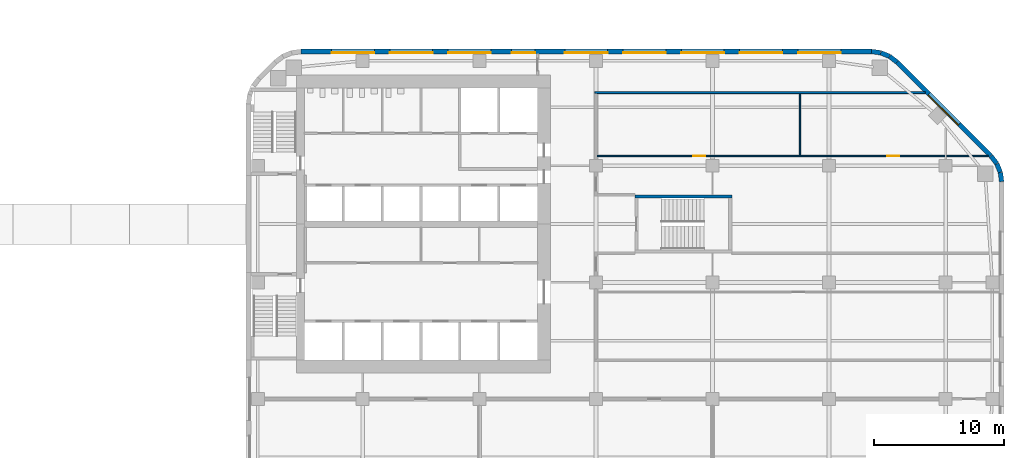
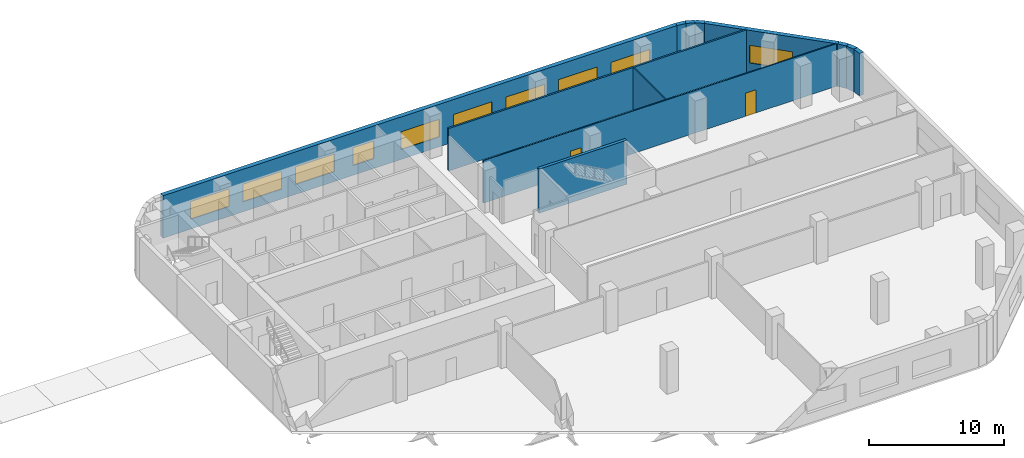
# One storey, part 11 of 15: 12 walls, 10 windows, 2 doors, 12 openings.
"""IFC4 building model written with IfcOpenShell, lengths in metres."""

from ifc_helpers import new_model, si_unit, direction, frame, frame_2d, origin, place, context, subcontext, project, spatial, rectangle, extrude, material, layer, layer_set, type_object, element, fill, save


model = new_model("IFC4")

# Units and contexts
model_context = context("Model", 3, precision=1e-05, world=origin(), true_north=direction((0.0, 1.0)))
body_context = subcontext(model_context, "Body", "Model", "MODEL_VIEW")
ifc_project = project(units=[si_unit("LENGTHUNIT", "METRE"), si_unit("AREAUNIT", "SQUARE_METRE"), si_unit("VOLUMEUNIT", "CUBIC_METRE"), si_unit("PLANEANGLEUNIT", "RADIAN"), si_unit("MASSUNIT", "GRAM", prefix="KILO")], contexts=[model_context])

# Site, building, storey
site_placement = place(None, origin())
site = spatial("IfcSite", under=ifc_project, at=site_placement, CompositionType="ELEMENT")
building_placement = place(site_placement, origin())
building = spatial("IfcBuilding", under=site, at=building_placement, Name="Cinnabar Reach Civic Tower", CompositionType="ELEMENT")
storey_placement = place(building_placement, frame((0.0, 0.0, 75.0)))
storey = spatial("IfcBuildingStorey", under=building, at=storey_placement, Name="L17", CompositionType="ELEMENT", Elevation=75.0)

# Walls
ifc_material_1 = material(Name="Facing brick with insulated backing", Category="masonry")
ifc_layer_1 = layer(ifc_material_1, 0.36)
ifc_layer_set_1 = layer_set([ifc_layer_1], Name="Brick corner wall")
wall_type_1 = type_object("IfcWallType", Name="Brick corner wall", PredefinedType="STANDARD", material=ifc_layer_set_1)
for number, where, z_axis, x_axis, name in (
    (1, (58.317, 34.7686, 0.0), (0.0, 0.0, 1.0), (-0.13055608231, 0.99144092581, 0.0), "Brick corner wall"),
    (2, (58.2181, 35.4973, 0.0), (0.0, 0.0, 1.0), (-0.382702709855, 0.923871547278, 0.0), "Brick corner wall"),
):
    element("IfcWall", number, at=place(storey_placement, frame(where, z_axis=z_axis, x_axis=x_axis)), inside=storey, type_object=wall_type_1, Name=name, PredefinedType="STANDARD", context=body_context, shape_type="SweptSolid", body=[
        extrude(rectangle(XDim=0.7131, YDim=0.36, at=frame_2d((0.3565, 0.0))), origin(), (0.0, 0.0, 1.0), 3.85),
    ])
for number, where, z_axis, x_axis, name in (
    (3, (57.934, 36.1755, 0.0), (0.0, 0.0, 1.0), (-0.608802368033, 0.793321924995, 0.0), "Brick corner wall"),
    (4, (50.2413, 43.9998, 0.0), (0.0, 0.0, 1.0), (-0.793321924995, 0.608802368033, 0.0), "Brick corner wall"),
):
    element("IfcWall", number, at=place(storey_placement, frame(where, z_axis=z_axis, x_axis=x_axis)), inside=storey, type_object=wall_type_1, Name=name, PredefinedType="STANDARD", context=body_context, shape_type="SweptSolid", body=[
        extrude(rectangle(XDim=0.7132, YDim=0.36, at=frame_2d((0.3566, 0.0))), origin(), (0.0, 0.0, 1.0), 3.85),
    ])
for number, where, z_axis, x_axis, name in (
    (5, (49.6561, 44.4452, 0.0), (0.0, 0.0, 1.0), (-0.923871547278, 0.382702709855, 0.0), "Brick corner wall"),
    (6, (48.9756, 44.7239, 0.0), (0.0, 0.0, 1.0), (-0.99144092581, 0.13055608231, 0.0), "Brick corner wall"),
):
    element("IfcWall", number, at=place(storey_placement, frame(where, z_axis=z_axis, x_axis=x_axis)), inside=storey, type_object=wall_type_1, Name=name, PredefinedType="STANDARD", context=body_context, shape_type="SweptSolid", body=[
        extrude(rectangle(XDim=0.7131, YDim=0.36, at=frame_2d((0.3565, 0.0))), origin(), (0.0, 0.0, 1.0), 3.85),
    ])

# Wall, opening, window
ifc_layer_2 = layer(ifc_material_1, 0.36)
ifc_layer_set_2 = layer_set([ifc_layer_2], Name="Brick pier and spandrel wall")
wall_type_2 = type_object("IfcWallType", Name="Brick pier and spandrel wall", PredefinedType="STANDARD", material=ifc_layer_set_2)
wall_1_placement = place(storey_placement, frame((57.494, 36.7514, 0.0), z_axis=(0.0, 0.0, 1.0), x_axis=(-0.707106781187, 0.707106781187, 0.0)))
wall_1 = element("IfcWall", 7, at=wall_1_placement, inside=storey, type_object=wall_type_2, Name="Brick facade wall", PredefinedType="STANDARD", context=body_context, shape_type="SweptSolid", body=[
    extrude(rectangle(XDim=10.2426, YDim=0.36, at=frame_2d((5.1213, 0.0))), origin(), (0.0, 0.0, 1.0), 3.85),
])
opening_1_placement = place(wall_1_placement, frame((3.4713, 0.0, 0.9)))
opening_1 = element("IfcOpeningElement", 8, at=opening_1_placement, cuts=wall_1, Name="Opening W1335", PredefinedType="OPENING", context=body_context, shape_type="SweptSolid", body=[
    extrude(rectangle(XDim=3.3, YDim=1.6, at=frame_2d((1.65, 0.8))), frame((0.0, 0.19, 0.0), z_axis=(0.0, -1.0, 0.0), x_axis=(1.0, 0.0, 0.0)), (0.0, 0.0, 1.0), 0.38),
])
ifc_material_2 = material(Name="Clear double glazing in aluminium frame", Category="aluminium")
window_type_1 = type_object("IfcWindowType", Name="Deep-set window A", PartitioningType="SINGLE_PANEL", PredefinedType="WINDOW", material=ifc_material_2)
window_1_placement = place(opening_1_placement, origin())
window_1 = element("IfcWindow", 9, at=window_1_placement, inside=storey, type_object=window_type_1, Name="Window northeast face", OverallHeight=1.6, OverallWidth=3.3, PartitioningType="SINGLE_PANEL", PredefinedType="WINDOW", context=body_context, shape_type="SweptSolid", body=[
    extrude(rectangle(XDim=3.3, YDim=1.6, at=frame_2d((1.65, 0.8))), frame((0.0, 0.13, 0.0), z_axis=(0.0, -1.0, 0.0), x_axis=(1.0, 0.0, 0.0)), (0.0, 0.0, 1.0), 0.06),
])
fill(opening_1, window_1)

# Wall, openings, windows
wall_2_placement = place(storey_placement, frame((48.2574, 44.82, 0.0), z_axis=(0.0, 0.0, 1.0), x_axis=(-1.0, 0.0, 0.0)))
wall_2 = element("IfcWall", 10, at=wall_2_placement, inside=storey, type_object=wall_type_2, Name="Brick facade wall", PredefinedType="STANDARD", context=body_context, shape_type="SweptSolid", body=[
    extrude(rectangle(XDim=44.0148, YDim=0.36, at=frame_2d((22.0074, 0.0))), origin(), (0.0, 0.0, 1.0), 3.85),
])
opening_2_placement = place(wall_2_placement, frame((2.3574, 0.0, 0.9)))
opening_2 = element("IfcOpeningElement", 11, at=opening_2_placement, cuts=wall_2, Name="Opening W1336", PredefinedType="OPENING", context=body_context, shape_type="SweptSolid", body=[
    extrude(rectangle(XDim=3.3, YDim=1.6, at=frame_2d((1.65, 0.8))), frame((0.0, 0.19, 0.0), z_axis=(0.0, -1.0, 0.0), x_axis=(1.0, 0.0, 0.0)), (0.0, 0.0, 1.0), 0.38),
])
opening_3_placement = place(wall_2_placement, frame((6.8574, 0.0, 0.9)))
opening_3 = element("IfcOpeningElement", 12, at=opening_3_placement, cuts=wall_2, Name="Opening W1337", PredefinedType="OPENING", context=body_context, shape_type="SweptSolid", body=[
    extrude(rectangle(XDim=3.3, YDim=1.6, at=frame_2d((1.65, 0.8))), frame((0.0, 0.19, 0.0), z_axis=(0.0, -1.0, 0.0), x_axis=(1.0, 0.0, 0.0)), (0.0, 0.0, 1.0), 0.38),
])
opening_4_placement = place(wall_2_placement, frame((11.3574, 0.0, 0.9)))
opening_4 = element("IfcOpeningElement", 13, at=opening_4_placement, cuts=wall_2, Name="Opening W1338", PredefinedType="OPENING", context=body_context, shape_type="SweptSolid", body=[
    extrude(rectangle(XDim=3.3, YDim=1.6, at=frame_2d((1.65, 0.8))), frame((0.0, 0.19, 0.0), z_axis=(0.0, -1.0, 0.0), x_axis=(1.0, 0.0, 0.0)), (0.0, 0.0, 1.0), 0.38),
])
opening_5_placement = place(wall_2_placement, frame((15.8574, 0.0, 0.9)))
opening_5 = element("IfcOpeningElement", 14, at=opening_5_placement, cuts=wall_2, Name="Opening W1339", PredefinedType="OPENING", context=body_context, shape_type="SweptSolid", body=[
    extrude(rectangle(XDim=3.3, YDim=1.6, at=frame_2d((1.65, 0.8))), frame((0.0, 0.19, 0.0), z_axis=(0.0, -1.0, 0.0), x_axis=(1.0, 0.0, 0.0)), (0.0, 0.0, 1.0), 0.38),
])
opening_6_placement = place(wall_2_placement, frame((20.3574, 0.0, 0.9)))
opening_6 = element("IfcOpeningElement", 15, at=opening_6_placement, cuts=wall_2, Name="Opening W1340", PredefinedType="OPENING", context=body_context, shape_type="SweptSolid", body=[
    extrude(rectangle(XDim=3.3, YDim=1.6, at=frame_2d((1.65, 0.8))), frame((0.0, 0.19, 0.0), z_axis=(0.0, -1.0, 0.0), x_axis=(1.0, 0.0, 0.0)), (0.0, 0.0, 1.0), 0.38),
])
opening_7_placement = place(wall_2_placement, frame((25.9574, 0.0, 0.9)))
opening_7 = element("IfcOpeningElement", 16, at=opening_7_placement, cuts=wall_2, Name="Opening W1341", PredefinedType="OPENING", context=body_context, shape_type="SweptSolid", body=[
    extrude(rectangle(XDim=1.8, YDim=1.6, at=frame_2d((0.9, 0.8))), frame((0.0, 0.19, 0.0), z_axis=(0.0, -1.0, 0.0), x_axis=(1.0, 0.0, 0.0)), (0.0, 0.0, 1.0), 0.38),
])
opening_8_placement = place(wall_2_placement, frame((29.3574, 0.0, 0.9)))
opening_8 = element("IfcOpeningElement", 17, at=opening_8_placement, cuts=wall_2, Name="Opening W1342", PredefinedType="OPENING", context=body_context, shape_type="SweptSolid", body=[
    extrude(rectangle(XDim=3.3, YDim=1.6, at=frame_2d((1.65, 0.8))), frame((0.0, 0.19, 0.0), z_axis=(0.0, -1.0, 0.0), x_axis=(1.0, 0.0, 0.0)), (0.0, 0.0, 1.0), 0.38),
])
opening_9_placement = place(wall_2_placement, frame((33.8574, 0.0, 0.9)))
opening_9 = element("IfcOpeningElement", 18, at=opening_9_placement, cuts=wall_2, Name="Opening W1343", PredefinedType="OPENING", context=body_context, shape_type="SweptSolid", body=[
    extrude(rectangle(XDim=3.3, YDim=1.6, at=frame_2d((1.65, 0.8))), frame((0.0, 0.19, 0.0), z_axis=(0.0, -1.0, 0.0), x_axis=(1.0, 0.0, 0.0)), (0.0, 0.0, 1.0), 0.38),
])
opening_10_placement = place(wall_2_placement, frame((38.3574, 0.0, 0.9)))
opening_10 = element("IfcOpeningElement", 19, at=opening_10_placement, cuts=wall_2, Name="Opening W1344", PredefinedType="OPENING", context=body_context, shape_type="SweptSolid", body=[
    extrude(rectangle(XDim=3.3, YDim=1.6, at=frame_2d((1.65, 0.8))), frame((0.0, 0.19, 0.0), z_axis=(0.0, -1.0, 0.0), x_axis=(1.0, 0.0, 0.0)), (0.0, 0.0, 1.0), 0.38),
])
window_2_placement = place(opening_2_placement, origin())
window_2 = element("IfcWindow", 20, at=window_2_placement, inside=storey, type_object=window_type_1, Name="Window north face", OverallHeight=1.6, OverallWidth=3.3, PartitioningType="SINGLE_PANEL", PredefinedType="WINDOW", context=body_context, shape_type="SweptSolid", body=[
    extrude(rectangle(XDim=3.3, YDim=1.6, at=frame_2d((1.65, 0.8))), frame((0.0, 0.13, 0.0), z_axis=(0.0, -1.0, 0.0), x_axis=(1.0, 0.0, 0.0)), (0.0, 0.0, 1.0), 0.06),
])
fill(opening_2, window_2)
window_3_placement = place(opening_3_placement, origin())
window_3 = element("IfcWindow", 21, at=window_3_placement, inside=storey, type_object=window_type_1, Name="Window north face", OverallHeight=1.6, OverallWidth=3.3, PartitioningType="SINGLE_PANEL", PredefinedType="WINDOW", context=body_context, shape_type="SweptSolid", body=[
    extrude(rectangle(XDim=3.3, YDim=1.6, at=frame_2d((1.65, 0.8))), frame((0.0, 0.13, 0.0), z_axis=(0.0, -1.0, 0.0), x_axis=(1.0, 0.0, 0.0)), (0.0, 0.0, 1.0), 0.06),
])
fill(opening_3, window_3)
window_4_placement = place(opening_4_placement, origin())
window_4 = element("IfcWindow", 22, at=window_4_placement, inside=storey, type_object=window_type_1, Name="Window north face", OverallHeight=1.6, OverallWidth=3.3, PartitioningType="SINGLE_PANEL", PredefinedType="WINDOW", context=body_context, shape_type="SweptSolid", body=[
    extrude(rectangle(XDim=3.3, YDim=1.6, at=frame_2d((1.65, 0.8))), frame((0.0, 0.13, 0.0), z_axis=(0.0, -1.0, 0.0), x_axis=(1.0, 0.0, 0.0)), (0.0, 0.0, 1.0), 0.06),
])
fill(opening_4, window_4)
window_5_placement = place(opening_5_placement, origin())
window_5 = element("IfcWindow", 23, at=window_5_placement, inside=storey, type_object=window_type_1, Name="Window north face", OverallHeight=1.6, OverallWidth=3.3, PartitioningType="SINGLE_PANEL", PredefinedType="WINDOW", context=body_context, shape_type="SweptSolid", body=[
    extrude(rectangle(XDim=3.3, YDim=1.6, at=frame_2d((1.65, 0.8))), frame((0.0, 0.13, 0.0), z_axis=(0.0, -1.0, 0.0), x_axis=(1.0, 0.0, 0.0)), (0.0, 0.0, 1.0), 0.06),
])
fill(opening_5, window_5)
window_6_placement = place(opening_6_placement, origin())
window_6 = element("IfcWindow", 24, at=window_6_placement, inside=storey, type_object=window_type_1, Name="Window north face", OverallHeight=1.6, OverallWidth=3.3, PartitioningType="SINGLE_PANEL", PredefinedType="WINDOW", context=body_context, shape_type="SweptSolid", body=[
    extrude(rectangle(XDim=3.3, YDim=1.6, at=frame_2d((1.65, 0.8))), frame((0.0, 0.13, 0.0), z_axis=(0.0, -1.0, 0.0), x_axis=(1.0, 0.0, 0.0)), (0.0, 0.0, 1.0), 0.06),
])
fill(opening_6, window_6)
window_7_placement = place(opening_8_placement, origin())
window_7 = element("IfcWindow", 25, at=window_7_placement, inside=storey, type_object=window_type_1, Name="Window north face", OverallHeight=1.6, OverallWidth=3.3, PartitioningType="SINGLE_PANEL", PredefinedType="WINDOW", context=body_context, shape_type="SweptSolid", body=[
    extrude(rectangle(XDim=3.3, YDim=1.6, at=frame_2d((1.65, 0.8))), frame((0.0, 0.13, 0.0), z_axis=(0.0, -1.0, 0.0), x_axis=(1.0, 0.0, 0.0)), (0.0, 0.0, 1.0), 0.06),
])
fill(opening_8, window_7)
window_8_placement = place(opening_9_placement, origin())
window_8 = element("IfcWindow", 26, at=window_8_placement, inside=storey, type_object=window_type_1, Name="Window north face", OverallHeight=1.6, OverallWidth=3.3, PartitioningType="SINGLE_PANEL", PredefinedType="WINDOW", context=body_context, shape_type="SweptSolid", body=[
    extrude(rectangle(XDim=3.3, YDim=1.6, at=frame_2d((1.65, 0.8))), frame((0.0, 0.13, 0.0), z_axis=(0.0, -1.0, 0.0), x_axis=(1.0, 0.0, 0.0)), (0.0, 0.0, 1.0), 0.06),
])
fill(opening_9, window_8)
window_9_placement = place(opening_10_placement, origin())
window_9 = element("IfcWindow", 27, at=window_9_placement, inside=storey, type_object=window_type_1, Name="Window north face", OverallHeight=1.6, OverallWidth=3.3, PartitioningType="SINGLE_PANEL", PredefinedType="WINDOW", context=body_context, shape_type="SweptSolid", body=[
    extrude(rectangle(XDim=3.3, YDim=1.6, at=frame_2d((1.65, 0.8))), frame((0.0, 0.13, 0.0), z_axis=(0.0, -1.0, 0.0), x_axis=(1.0, 0.0, 0.0)), (0.0, 0.0, 1.0), 0.06),
])
fill(opening_10, window_9)
window_type_2 = type_object("IfcWindowType", Name="Deep-set window D", PartitioningType="SINGLE_PANEL", PredefinedType="WINDOW", material=ifc_material_2)
window_10_placement = place(opening_7_placement, origin())
window_10 = element("IfcWindow", 28, at=window_10_placement, inside=storey, type_object=window_type_2, Name="Window north face", OverallHeight=1.6, OverallWidth=1.8, PartitioningType="SINGLE_PANEL", PredefinedType="WINDOW", context=body_context, shape_type="SweptSolid", body=[
    extrude(rectangle(XDim=1.8, YDim=1.6, at=frame_2d((0.9, 0.8))), frame((0.0, 0.13, 0.0), z_axis=(0.0, -1.0, 0.0), x_axis=(1.0, 0.0, 0.0)), (0.0, 0.0, 1.0), 0.06),
])
fill(opening_7, window_10)

# Wall
ifc_material_3 = material(Name="Gypsum board on steel studs, double layer", Category="steel")
ifc_layer_3 = layer(ifc_material_3, 0.15)
ifc_layer_set_3 = layer_set([ifc_layer_3], Name="Corridor wall 150 T1")
wall_type_3 = type_object("IfcWallType", Name="Corridor wall 150 T1", PredefinedType="PARTITIONING", material=ifc_layer_set_3)
wall_3_placement = place(storey_placement, frame((26.925, 41.65, 0.0), z_axis=(0.0, 0.0, 1.0), x_axis=(1.0, 0.0, 0.0)))
element("IfcWall", 29, at=wall_3_placement, inside=storey, type_object=wall_type_3, Name="Corridor wall 27", PredefinedType="PARTITIONING", context=body_context, shape_type="SweptSolid", body=[
    extrude(rectangle(XDim=25.4909, YDim=0.15, at=frame_2d((12.7454, 0.0))), origin(), (0.0, 0.0, 1.0), 3.85),
])

# Wall, openings, doors
ifc_material_4 = material(Name="Gypsum board on steel studs", Category="steel")
ifc_layer_4 = layer(ifc_material_4, 0.1)
ifc_layer_set_4 = layer_set([ifc_layer_4], Name="Partition wall 100 T1")
wall_type_4 = type_object("IfcWallType", Name="Partition wall 100 T1", PredefinedType="PARTITIONING", material=ifc_layer_set_4)
wall_4_placement = place(storey_placement, frame((27.075, 36.75, 0.0), z_axis=(0.0, 0.0, 1.0), x_axis=(1.0, 0.0, 0.0)))
wall_4 = element("IfcWall", 30, at=wall_4_placement, inside=storey, type_object=wall_type_4, Name="Partition wall 43", PredefinedType="PARTITIONING", context=body_context, shape_type="SweptSolid", body=[
    extrude(rectangle(XDim=30.2159, YDim=0.1, at=frame_2d((15.108, 0.0))), origin(), (0.0, 0.0, 1.0), 3.85),
])
opening_11_placement = place(wall_4_placement, frame((7.45, 0.0, 0.0)))
opening_11 = element("IfcOpeningElement", 31, at=opening_11_placement, cuts=wall_4, Name="Opening D3703", PredefinedType="OPENING", context=body_context, shape_type="SweptSolid", body=[
    extrude(rectangle(XDim=0.9, YDim=2.1, at=frame_2d((0.45, 1.05))), frame((0.0, 0.06, 0.0), z_axis=(0.0, -1.0, 0.0), x_axis=(1.0, 0.0, 0.0)), (0.0, 0.0, 1.0), 0.12),
])
opening_12_placement = place(wall_4_placement, frame((22.425, 0.0, 0.0)))
opening_12 = element("IfcOpeningElement", 32, at=opening_12_placement, cuts=wall_4, Name="Opening D3704", PredefinedType="OPENING", context=body_context, shape_type="SweptSolid", body=[
    extrude(rectangle(XDim=0.9, YDim=2.1, at=frame_2d((0.45, 1.05))), frame((0.0, 0.06, 0.0), z_axis=(0.0, -1.0, 0.0), x_axis=(1.0, 0.0, 0.0)), (0.0, 0.0, 1.0), 0.12),
])
ifc_material_5 = material(Name="Timber door leaf in steel frame", Category="steel")
door_type = type_object("IfcDoorType", Name="Single swing door 900 x 2100 T1", OperationType="SINGLE_SWING_LEFT", PredefinedType="DOOR", material=ifc_material_5)
door_1_placement = place(opening_11_placement, origin())
door_1 = element("IfcDoor", 33, at=door_1_placement, inside=storey, type_object=door_type, Name="Door D3703", OperationType="SINGLE_SWING_RIGHT", OverallHeight=2.1, OverallWidth=0.9, PredefinedType="DOOR", context=body_context, shape_type="SweptSolid", body=[
    extrude(rectangle(XDim=0.9, YDim=2.1, at=frame_2d((0.45, 1.05))), frame((0.0, 0.025, 0.0), z_axis=(0.0, -1.0, 0.0), x_axis=(1.0, 0.0, 0.0)), (0.0, 0.0, 1.0), 0.05),
])
fill(opening_11, door_1)
door_2_placement = place(opening_12_placement, origin())
door_2 = element("IfcDoor", 34, at=door_2_placement, inside=storey, type_object=door_type, Name="Door D3704", OperationType="SINGLE_SWING_LEFT", OverallHeight=2.1, OverallWidth=0.9, PredefinedType="DOOR", context=body_context, shape_type="SweptSolid", body=[
    extrude(rectangle(XDim=0.9, YDim=2.1, at=frame_2d((0.45, 1.05))), frame((0.0, 0.025, 0.0), z_axis=(0.0, -1.0, 0.0), x_axis=(1.0, 0.0, 0.0)), (0.0, 0.0, 1.0), 0.05),
])
fill(opening_12, door_2)

# Walls
wall_5_placement = place(storey_placement, frame((42.75, 36.8, 0.0), z_axis=(0.0, 0.0, 1.0), x_axis=(0.0, 1.0, 0.0)))
element("IfcWall", 35, at=wall_5_placement, inside=storey, type_object=wall_type_4, Name="Partition wall 48", PredefinedType="PARTITIONING", context=body_context, shape_type="SweptSolid", body=[
    extrude(rectangle(XDim=4.775, YDim=0.1, at=frame_2d((2.3875, 0.0))), origin(), (0.0, 0.0, 1.0), 3.85),
])
ifc_material_6 = material(Name="Concrete C60", Category="concrete")
ifc_layer_5 = layer(ifc_material_6, 0.25)
ifc_layer_set_5 = layer_set([ifc_layer_5], Name="Stair shaft wall 250 EI 120")
wall_type_5 = type_object("IfcWallType", Name="Stair shaft wall 250 EI 120", PredefinedType="SOLIDWALL", material=ifc_layer_set_5)
wall_6_placement = place(storey_placement, frame((37.5, 33.625, 0.0), z_axis=(0.0, 0.0, 1.0), x_axis=(-1.0, 0.0, 0.0)))
element("IfcWall", 36, at=wall_6_placement, inside=storey, type_object=wall_type_5, Name="Stair shaft wall T1-S3 L17", PredefinedType="SOLIDWALL", context=body_context, shape_type="SweptSolid", body=[
    extrude(rectangle(XDim=7.5, YDim=0.25, at=frame_2d((3.75, 0.0))), origin(), (0.0, 0.0, 1.0), 4.0),
])

save(model, "model.ifc")
